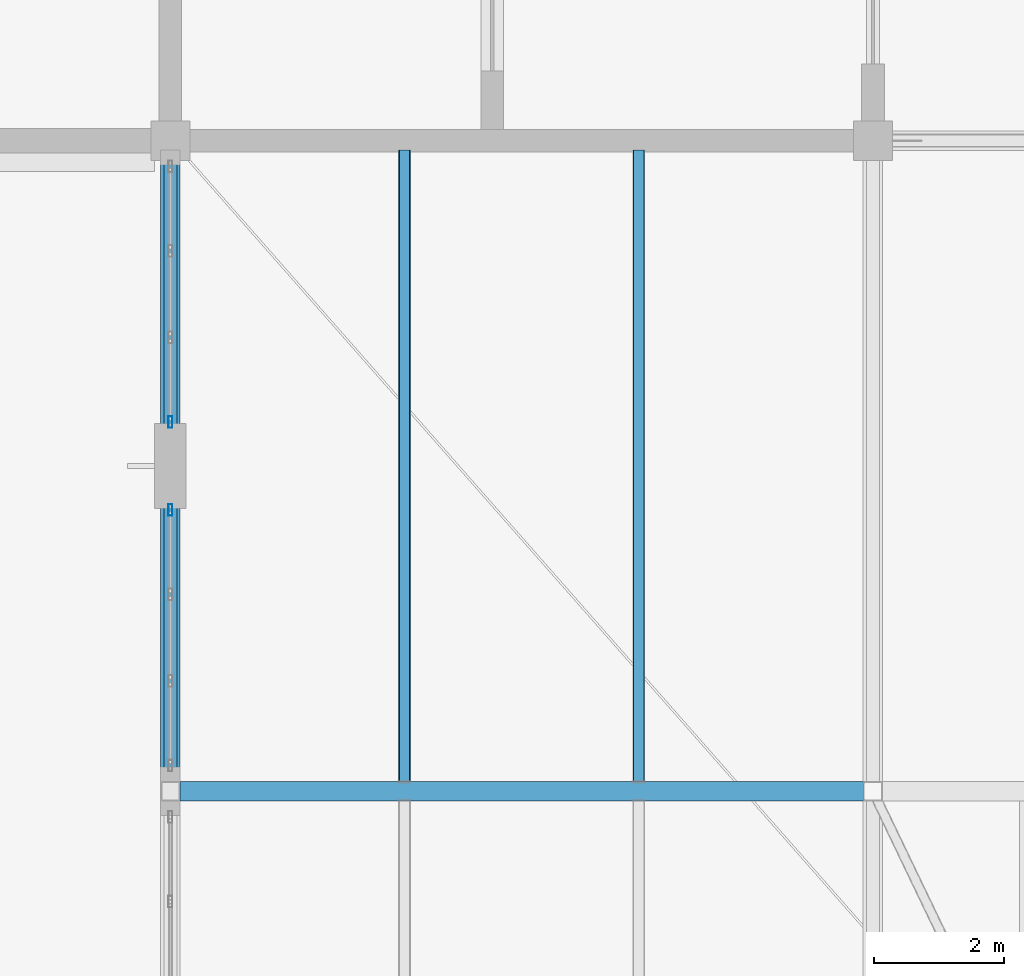
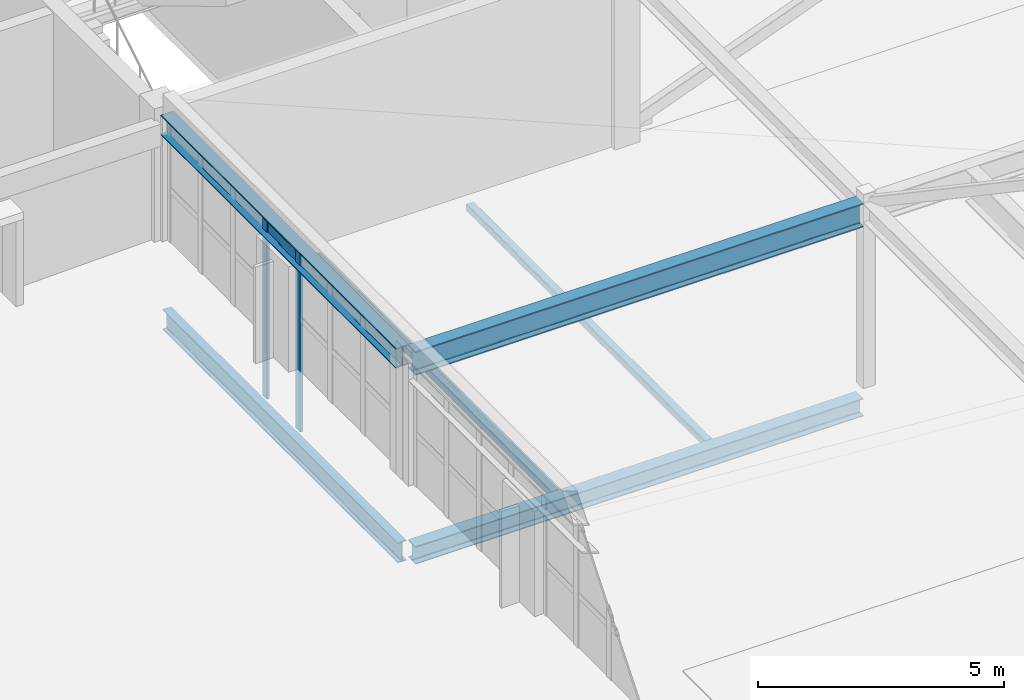
# One storey, part 20 of 86: 6 beams, 2 members, 2 elements without a shape of their own.
"""IFC4 building model written with IfcOpenShell, lengths in metres."""

from ifc_helpers import new_model, si_unit, direction, frame, origin, origin_2d, place, context, subcontext, project, spatial, hollow_rectangle, i_section, extrude, material, layer, layer_set, material_profile, profile_set, type_object, element, aggregate, save


model = new_model("IFC4")

# Units and contexts
model_context = context("Model", 3, precision=1e-05, world=origin(), true_north=direction((0.0, 1.0)))
body_context = subcontext(model_context, "Body", "Model", "MODEL_VIEW")
ifc_project = project(units=[si_unit("LENGTHUNIT", "METRE"), si_unit("AREAUNIT", "SQUARE_METRE"), si_unit("VOLUMEUNIT", "CUBIC_METRE"), si_unit("PLANEANGLEUNIT", "RADIAN"), si_unit("MASSUNIT", "GRAM", prefix="KILO")], contexts=[model_context])

# Site, building, storey
site_placement = place(None, origin())
site = spatial("IfcSite", under=ifc_project, at=site_placement, CompositionType="ELEMENT")
building_placement = place(site_placement, origin())
building = spatial("IfcBuilding", under=site, at=building_placement, Name="Tasgan Crest Museum", CompositionType="ELEMENT")
storey_placement = place(building_placement, frame((0.0, 0.0, 24.0)))
storey = spatial("IfcBuildingStorey", under=building, at=storey_placement, Name="L04", CompositionType="ELEMENT", Elevation=24.0)

# Beams
ifc_material_1 = material(Name="Steel S355J2", Category="steel")
ifc_material_profile_1 = material_profile(ifc_material_1, i_section(OverallWidth=0.300048828125, OverallDepth=0.43994140625, WebThickness=0.011474609375, FlangeThickness=0.02099609375, FilletRadius=0.027099609375, at=origin_2d()), Name="HEA 450")
ifc_profile_set_1 = profile_set([ifc_material_profile_1], Name="Steel S355J2")
beam_type_1 = type_object("IfcBeamType", Name="BM-G-HEA450", PredefinedType="BEAM", material=ifc_profile_set_1)
beam_1_placement = place(storey_placement, frame((54.14599609375, 72.0, -0.4599609375), z_axis=(1.0, 0.0, 0.0), x_axis=(0.0, 1.0, 0.0)))
element("IfcBeam", 1, at=beam_1_placement, inside=storey, type_object=beam_type_1, Name="Girder L04 H 54.0-64.8", PredefinedType="BEAM", context=body_context, shape_type="SweptSolid", body=[
    extrude(i_section(OverallWidth=0.300048828125, OverallDepth=0.43994140625, WebThickness=0.011474609375, FlangeThickness=0.02099609375, FilletRadius=0.027099609375, at=origin_2d()), origin(), (0.0, 0.0, 1.0), 10.508056640625),
])
ifc_material_2 = material(Name="Steel S355J2", Category="steel")
ifc_material_profile_2 = material_profile(ifc_material_2, i_section(OverallWidth=0.300048828125, OverallDepth=0.489990234375, WebThickness=0.011962890625, FlangeThickness=0.02294921875, FilletRadius=0.027099609375, at=origin_2d()), Name="HEA 500")
ifc_profile_set_2 = profile_set([ifc_material_profile_2], Name="Steel S355J2")
beam_type_2 = type_object("IfcBeamType", Name="BM-G-HEA500", PredefinedType="BEAM", material=ifc_profile_set_2)
beam_2_placement = place(storey_placement, frame((54.0, 72.14599609375, 4.35498046875), z_axis=(0.0, 1.0, 0.0), x_axis=(-1.0, 0.0, 0.0)))
element("IfcBeam", 2, at=beam_2_placement, inside=storey, type_object=beam_type_2, Name="Winter-garden roof beam 6 72-82", PredefinedType="BEAM", context=body_context, shape_type="SweptSolid", body=[
    extrude(i_section(OverallWidth=0.300048828125, OverallDepth=0.489990234375, WebThickness=0.011962890625, FlangeThickness=0.02294921875, FilletRadius=0.027099609375, at=origin_2d()), origin(), (0.0, 0.0, 1.0), 9.55810546875),
])
ifc_material_3 = material(Name="Steel S355J2", Category="steel")
ifc_material_profile_3 = material_profile(ifc_material_3, i_section(OverallWidth=0.300048828125, OverallDepth=0.590087890625, WebThickness=0.012939453125, FlangeThickness=0.02490234375, FilletRadius=0.027099609375, at=origin_2d()), Name="HEA 600")
ifc_profile_set_3 = profile_set([ifc_material_profile_3], Name="Steel S355J2")
beam_type_3 = type_object("IfcBeamType", Name="BM-G-HEA600", PredefinedType="BEAM", material=ifc_profile_set_3)
beam_3_placement = place(storey_placement, frame((54.14599609375, 72.0, 4.304931640625), z_axis=(1.0, 0.0, 0.0), x_axis=(0.0, 1.0, 0.0)))
element("IfcBeam", 3, at=beam_3_placement, inside=storey, type_object=beam_type_3, Name="Winter-garden roof girder H 54.0-64.8", PredefinedType="BEAM", context=body_context, shape_type="SweptSolid", body=[
    extrude(i_section(OverallWidth=0.300048828125, OverallDepth=0.590087890625, WebThickness=0.012939453125, FlangeThickness=0.02490234375, FilletRadius=0.027099609375, at=origin_2d()), origin(), (0.0, 0.0, 1.0), 10.508056640625),
])
ifc_material_4 = material(Name="Steel S355J2", Category="steel")
ifc_material_profile_4 = material_profile(ifc_material_4, i_section(OverallWidth=0.199951171875, OverallDepth=0.5, WebThickness=0.01025390625, FlangeThickness=0.01611328125, FilletRadius=0.02099609375, at=origin_2d()), Name="IPE 500")
ifc_profile_set_4 = profile_set([ifc_material_profile_4], Name="Steel S355J2")
beam_type_4 = type_object("IfcBeamType", Name="BM-G-IPE500", PredefinedType="BEAM", material=ifc_profile_set_4)
beam_4_placement = place(storey_placement, frame((54.0, 72.14501953125, -0.489990234375), z_axis=(0.0, 1.0, 0.0), x_axis=(-1.0, 0.0, 0.0)))
element("IfcBeam", 4, at=beam_4_placement, inside=storey, type_object=beam_type_4, Name="Beam L04 6 72.0-82.0", PredefinedType="BEAM", context=body_context, shape_type="SweptSolid", body=[
    extrude(i_section(OverallWidth=0.199951171875, OverallDepth=0.5, WebThickness=0.01025390625, FlangeThickness=0.01611328125, FilletRadius=0.02099609375, at=origin_2d()), origin(), (0.0, 0.0, 1.0), 9.56005859375),
])
ifc_material_5 = material(Name="Steel S355J2", Category="steel")
ifc_material_profile_5 = material_profile(ifc_material_5, hollow_rectangle(XDim=0.179931640625, YDim=0.179931640625, WallThickness=0.010009765625, InnerFilletRadius=0.010009765625, OuterFilletRadius=0.02001953125, at=origin_2d()), Name="SHS 180x180x10")
ifc_profile_set_5 = profile_set([ifc_material_profile_5], Name="Steel S355J2")
beam_type_5 = type_object("IfcBeamType", Name="BM-J-SHS180", PredefinedType="JOIST", material=ifc_profile_set_5)
for number, where, z_axis, x_axis, name in (
    (5, (57.60009765625, 72.14501953125, -0.330078125), (0.0, 1.0, 0.0), (-1.0, 0.0, 0.0), "Secondary joist L04 X=57.6 Y=72.0-82.0"),
    (6, (61.199951171875, 72.14501953125, -0.330078125), (0.0, 1.0, 0.0), (-1.0, 0.0, 0.0), "Secondary joist L04 X=61.2 Y=72.0-82.0"),
):
    element("IfcBeam", number, at=place(storey_placement, frame(where, z_axis=z_axis, x_axis=x_axis)), inside=storey, type_object=beam_type_5, Name=name, PredefinedType="JOIST", context=body_context, shape_type="SweptSolid", body=[
        extrude(hollow_rectangle(XDim=0.179931640625, YDim=0.179931640625, WallThickness=0.010009765625, InnerFilletRadius=0.010009765625, OuterFilletRadius=0.02001953125, at=origin_2d()), origin(), (0.0, 0.0, 1.0), 9.7099609375),
    ])

# Curtain wall, member
ifc_material_6 = material(Name="Triple-Glazed Aluminium Curtain Wall", Category="aluminium")
ifc_layer = layer(ifc_material_6, 0.179931640625, Name="CW-DRUM-Y10-48")
ifc_layer_set = layer_set([ifc_layer], Name="Triple-Glazed Aluminium Curtain Wall")
curtain_wall_type = type_object("IfcCurtainWallType", Name="CW-DRUM-Y10-48", PredefinedType="NOTDEFINED", material=ifc_layer_set)
curtain_wall_1_placement = place(storey_placement, origin())
curtain_wall_1 = element("IfcCurtainWall", 7, at=curtain_wall_1_placement, inside=storey, type_object=curtain_wall_type, Name="Curtain wall L04 177", PredefinedType="NOTDEFINED")
ifc_material_7 = material(Name="Anodised Aluminium", Category="aluminium")
ifc_material_profile_6 = material_profile(ifc_material_7, hollow_rectangle(XDim=0.06494140625, YDim=0.179931640625, WallThickness=0.0048828125, at=origin_2d()), Name="ALU MULLION 180x65x5")
ifc_profile_set_6 = profile_set([ifc_material_profile_6], Name="Anodised Aluminium")
member_type = type_object("IfcMemberType", Name="CW-MULLION-180", PredefinedType="MULLION", material=ifc_profile_set_6)
member_1_placement = place(storey_placement, frame((54.0, 77.675048828125, 0.0), z_axis=(0.0, 0.0, 1.0), x_axis=(1.0, 0.0, 0.0)))
member_1 = element("IfcMember", 8, at=member_1_placement, type_object=member_type, Name="CW04 mullion 4", PredefinedType="MULLION", context=body_context, shape_type="SweptSolid", body=[
    extrude(hollow_rectangle(XDim=0.06494140625, YDim=0.179931640625, WallThickness=0.0048828125, at=origin_2d()), origin(), (0.0, 0.0, 1.0), 4.56005859375),
])
aggregate(curtain_wall_1, [member_1])

curtain_wall_2_placement = place(storey_placement, origin())
curtain_wall_2 = element("IfcCurtainWall", 9, at=curtain_wall_2_placement, inside=storey, type_object=curtain_wall_type, Name="Curtain wall L04 178", PredefinedType="NOTDEFINED")
member_2_placement = place(storey_placement, frame((54.0, 76.324951171875, 0.0), z_axis=(0.0, 0.0, 1.0), x_axis=(1.0, 0.0, 0.0)))
member_2 = element("IfcMember", 10, at=member_2_placement, type_object=member_type, Name="CW04 mullion 1", PredefinedType="MULLION", context=body_context, shape_type="SweptSolid", body=[
    extrude(hollow_rectangle(XDim=0.06494140625, YDim=0.179931640625, WallThickness=0.0048828125, at=origin_2d()), origin(), (0.0, 0.0, 1.0), 4.56005859375),
])
aggregate(curtain_wall_2, [member_2])

save(model, "model.ifc")
